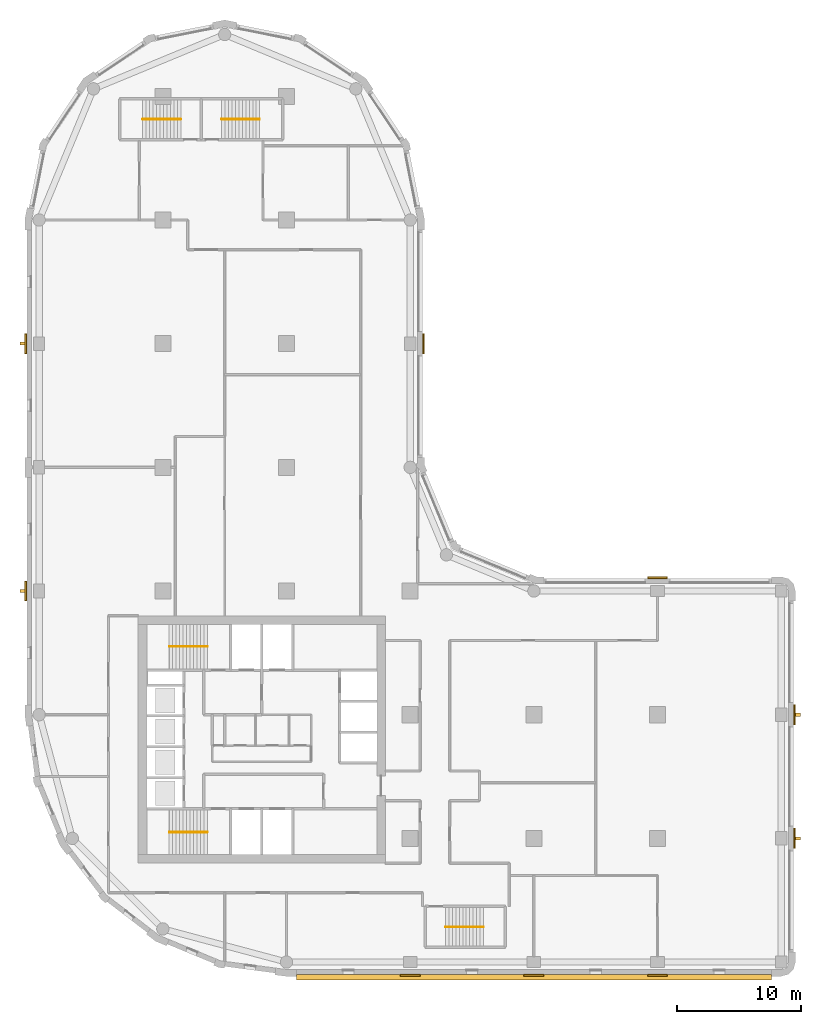
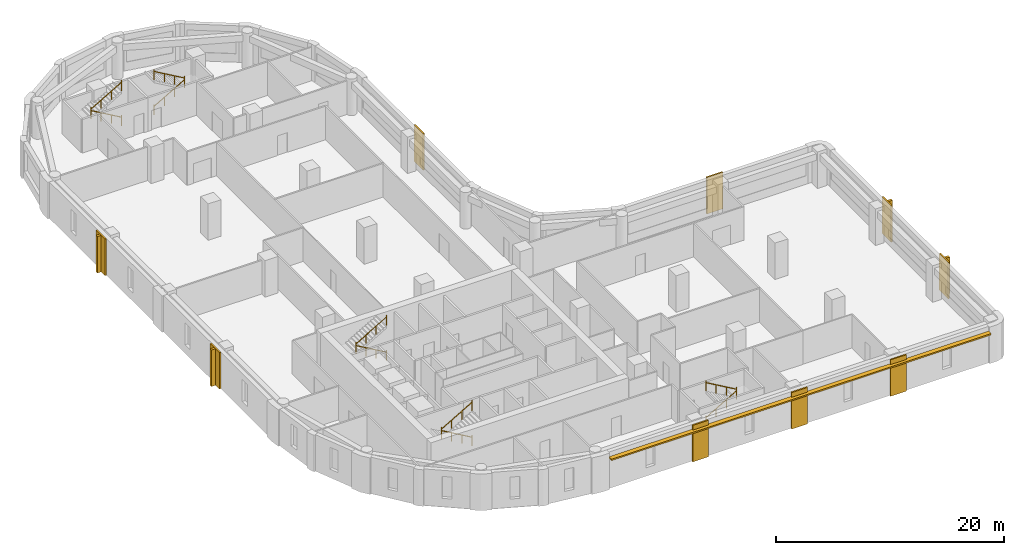
# One storey, part 8 of 9: 10 railings, 9 coverings, 5 shading devices.
"""IFC4 building model written with IfcOpenShell, lengths in metres."""

from ifc_helpers import new_model, si_unit, direction, frame, origin, origin_2d, place, context, subcontext, project, spatial, polyline, rectangle, circle, outline, extrude, material, layer, layer_set, type_object, element, save


model = new_model("IFC4")

# Units and contexts
model_context = context("Model", 3, precision=1e-05, world=origin(), true_north=direction((0.0, 1.0)))
body_context = subcontext(model_context, "Body", "Model", "MODEL_VIEW")
ifc_project = project(units=[si_unit("LENGTHUNIT", "METRE"), si_unit("AREAUNIT", "SQUARE_METRE"), si_unit("VOLUMEUNIT", "CUBIC_METRE"), si_unit("PLANEANGLEUNIT", "RADIAN"), si_unit("MASSUNIT", "GRAM", prefix="KILO")], contexts=[model_context])

# Site, building, storey
site_placement = place(None, origin())
site = spatial("IfcSite", under=ifc_project, at=site_placement, CompositionType="ELEMENT")
building_placement = place(site_placement, origin())
building = spatial("IfcBuilding", under=site, at=building_placement, Name="Qaws Garden Tower", CompositionType="ELEMENT")
storey_placement = place(building_placement, frame((0.0, 0.0, 139.5)))
storey = spatial("IfcBuildingStorey", under=building, at=storey_placement, Name="L33", CompositionType="ELEMENT", Elevation=139.5)

# Coverings
ifc_material_1 = material(Name="Clay facing brick masonry", Category="masonry")
ifc_layer_1 = layer(ifc_material_1, 0.14990234375)
ifc_layer_set_1 = layer_set([ifc_layer_1], Name="Clay facing brick masonry")
covering_type = type_object("IfcCoveringType", Name="Brick pilaster facing 150 x 1600", PredefinedType="CLADDING", material=ifc_layer_set_1)
placement = place(storey_placement, origin())
element("IfcCovering", 1, at=placement, inside=storey, type_object=covering_type, Name="E-L33-pier-01", PredefinedType="CLADDING", context=body_context, shape_type="SweptSolid", body=[
    extrude(outline(polyline([(29.199951171875, -1.0), (30.800048828125, -1.0), (30.800048828125, -1.14990234375), (29.199951171875, -1.14990234375), (29.199951171875, -1.0)])), origin(), (0.0, 0.0, 1.0), 3.89990234375),
])
element("IfcCovering", 2, at=placement, inside=storey, type_object=covering_type, Name="E-L33-pier-02", PredefinedType="CLADDING", context=body_context, shape_type="SweptSolid", body=[
    extrude(outline(polyline([(39.199951171875, -1.0), (40.800048828125, -1.0), (40.800048828125, -1.14990234375), (39.199951171875, -1.14990234375), (39.199951171875, -1.0)])), origin(), (0.0, 0.0, 1.0), 3.89990234375),
])
element("IfcCovering", 3, at=placement, inside=storey, type_object=covering_type, Name="E-L33-pier-03", PredefinedType="CLADDING", context=body_context, shape_type="SweptSolid", body=[
    extrude(outline(polyline([(49.199951171875, -1.0), (50.800048828125, -1.0), (50.800048828125, -1.14990234375), (49.199951171875, -1.14990234375), (49.199951171875, -1.0)])), origin(), (0.0, 0.0, 1.0), 3.89990234375),
])
element("IfcCovering", 4, at=placement, inside=storey, type_object=covering_type, Name="E-L33-pier-05", PredefinedType="CLADDING", context=body_context, shape_type="SweptSolid", body=[
    extrude(outline(polyline([(61.0, 9.199951171875), (61.0, 10.800048828125), (61.14990234375, 10.800048828125), (61.14990234375, 9.199951171875), (61.0, 9.199951171875)])), origin(), (0.0, 0.0, 1.0), 3.89990234375),
])
element("IfcCovering", 5, at=placement, inside=storey, type_object=covering_type, Name="E-L33-pier-06", PredefinedType="CLADDING", context=body_context, shape_type="SweptSolid", body=[
    extrude(outline(polyline([(61.0, 19.199951171875), (61.0, 20.800048828125), (61.14990234375, 20.800048828125), (61.14990234375, 19.199951171875), (61.0, 19.199951171875)])), origin(), (0.0, 0.0, 1.0), 3.89990234375),
])
element("IfcCovering", 6, at=placement, inside=storey, type_object=covering_type, Name="E-L33-pier-08", PredefinedType="CLADDING", context=body_context, shape_type="SweptSolid", body=[
    extrude(outline(polyline([(50.800048828125, 31.0), (49.199951171875, 31.0), (49.199951171875, 31.14990234375), (50.800048828125, 31.14990234375), (50.800048828125, 31.0)])), origin(), (0.0, 0.0, 1.0), 3.89990234375),
])
element("IfcCovering", 7, at=placement, inside=storey, type_object=covering_type, Name="E-L33-pier-12", PredefinedType="CLADDING", context=body_context, shape_type="SweptSolid", body=[
    extrude(outline(polyline([(31.0, 49.199951171875), (31.0, 50.800048828125), (31.14990234375, 50.800048828125), (31.14990234375, 49.199951171875), (31.0, 49.199951171875)])), origin(), (0.0, 0.0, 1.0), 3.89990234375),
])
element("IfcCovering", 8, at=placement, inside=storey, type_object=covering_type, Name="E-L33-pier-22", PredefinedType="CLADDING", context=body_context, shape_type="SweptSolid", body=[
    extrude(outline(polyline([(-1.0, 50.800048828125), (-1.0, 49.199951171875), (-1.14990234375, 49.199951171875), (-1.14990234375, 50.800048828125), (-1.0, 50.800048828125)])), origin(), (0.0, 0.0, 1.0), 3.89990234375),
])
element("IfcCovering", 9, at=placement, inside=storey, type_object=covering_type, Name="E-L33-pier-24", PredefinedType="CLADDING", context=body_context, shape_type="SweptSolid", body=[
    extrude(outline(polyline([(-1.0, 30.800048828125), (-1.0, 29.199951171875), (-1.14990234375, 29.199951171875), (-1.14990234375, 30.800048828125), (-1.0, 30.800048828125)])), origin(), (0.0, 0.0, 1.0), 3.89990234375),
])

# Shading devices
ifc_material_2 = material(Name="Clay facing brick masonry", Category="masonry")
ifc_layer_2 = layer(ifc_material_2, 0.14990234375)
ifc_layer_set_2 = layer_set([ifc_layer_2], Name="Clay facing brick masonry")
shading_device_type_1 = type_object("IfcShadingDeviceType", Name="Brick sunshade band 450 x 150", PredefinedType="JALOUSIE", material=ifc_layer_set_2)
shading_device_placement = place(storey_placement, frame((0.0, 0.0, 3.25)))
element("IfcShadingDevice", 10, at=shading_device_placement, inside=storey, type_object=shading_device_type_1, Name="SUNSHADE 00", PredefinedType="JALOUSIE", context=body_context, shape_type="SweptSolid", body=[
    extrude(outline(polyline([(20.800048828125, -1.0), (20.800048828125, -1.449951171875), (59.199951171875, -1.449951171875), (59.199951171875, -1.0), (50.800048828125, -1.0), (50.800048828125, -1.14990234375), (49.199951171875, -1.14990234375), (49.199951171875, -1.0), (40.800048828125, -1.0), (40.800048828125, -1.14990234375), (39.199951171875, -1.14990234375), (39.199951171875, -1.0), (30.800048828125, -1.0), (30.800048828125, -1.14990234375), (29.199951171875, -1.14990234375), (29.199951171875, -1.0), (20.800048828125, -1.0)])), origin(), (0.0, 0.0, 1.0), 0.14990234375),
])
ifc_material_3 = material(Name="Clay facing brick masonry", Category="masonry")
ifc_layer_3 = layer(ifc_material_3, 0.25)
ifc_layer_set_3 = layer_set([ifc_layer_3], Name="Clay facing brick masonry")
shading_device_type_2 = type_object("IfcShadingDeviceType", Name="Brick-faced fin 250 x 400", PredefinedType="USERDEFINED", material=ifc_layer_set_3)
for number, where, z_axis, x_axis, name in (
    (11, (61.35009765625, 10.0, 0.0), (0.0, 0.0, 1.0), (0.0, 1.0, 0.0), "FIN 05"),
    (12, (61.35009765625, 20.0, 0.0), (0.0, 0.0, 1.0), (0.0, 1.0, 0.0), "FIN 06"),
    (13, (-1.35009765625, 50.0, 0.0), (0.0, 0.0, 1.0), (0.0, -1.0, 0.0), "FIN 22"),
    (14, (-1.35009765625, 30.0, 0.0), (0.0, 0.0, 1.0), (0.0, -1.0, 0.0), "FIN 24"),
):
    element("IfcShadingDevice", number, at=place(storey_placement, frame(where, z_axis=z_axis, x_axis=x_axis)), inside=storey, type_object=shading_device_type_2, Name=name, ObjectType="FIN", PredefinedType="USERDEFINED", context=body_context, shape_type="SweptSolid", body=[
        extrude(rectangle(XDim=0.25, YDim=0.39990234375, at=origin_2d()), origin(), (0.0, 0.0, 1.0), 3.89990234375),
    ])

# Railings
ifc_material_4 = material(Name="Steel S355", Category="steel")
railing_type = type_object("IfcRailingType", Name="Stair handrail 900", PredefinedType="HANDRAIL", material=ifc_material_4)
railing_1_placement = place(storey_placement, frame((13.60009765625, 10.5, 0.16259765625)))
element("IfcRailing", 15, at=railing_1_placement, inside=storey, type_object=railing_type, Name="Stair 1 handrail", PredefinedType="HANDRAIL", context=body_context, shape_type="SweptSolid", body=[
    extrude(circle(Radius=0.02392578125, at=origin_2d()), frame((0.0, 0.0, 0.8759765625), z_axis=(-0.864920483161, 0.0, 0.501908913857), x_axis=(0.0, -1.0, 0.0)), (0.0, 0.0, 1.0), 3.56103515625),
    extrude(circle(Radius=0.02099609375, at=origin_2d()), origin(), (0.0, 0.0, 1.0), 1.06201171875),
    extrude(circle(Radius=0.02099609375, at=origin_2d()), frame((-1.026611328125, 0.0, 0.595703125)), (0.0, 0.0, 1.0), 0.851806640625),
    extrude(circle(Radius=0.02099609375, at=origin_2d()), frame((-2.053466796875, 0.0, 1.191650390625)), (0.0, 0.0, 1.0), 0.851806640625),
    extrude(circle(Radius=0.02099609375, at=origin_2d()), frame((-3.080078125, 0.0, 1.787353515625)), (0.0, 0.0, 1.0), 1.06201171875),
])
railing_2_placement = place(storey_placement, frame((10.52001953125, 10.5, 2.112548828125)))
element("IfcRailing", 16, at=railing_2_placement, inside=storey, type_object=railing_type, Name="Stair 1 handrail", PredefinedType="HANDRAIL", context=body_context, shape_type="SweptSolid", body=[
    extrude(circle(Radius=0.02392578125, at=origin_2d()), frame((0.0, 0.0, 0.8759765625), z_axis=(0.864920483161, 0.0, 0.501908913857), x_axis=(0.0, 1.0, 0.0)), (0.0, 0.0, 1.0), 3.56103515625),
    extrude(circle(Radius=0.02099609375, at=origin_2d()), origin(), (0.0, 0.0, 1.0), 1.06201171875),
    extrude(circle(Radius=0.02099609375, at=origin_2d()), frame((1.026611328125, 0.0, 0.595703125)), (0.0, 0.0, 1.0), 0.851806640625),
    extrude(circle(Radius=0.02099609375, at=origin_2d()), frame((2.053466796875, 0.0, 1.191650390625)), (0.0, 0.0, 1.0), 0.851806640625),
    extrude(circle(Radius=0.02099609375, at=origin_2d()), frame((3.080078125, 0.0, 1.787353515625)), (0.0, 0.0, 1.0), 1.06201171875),
])
railing_3_placement = place(storey_placement, frame((13.60009765625, 25.5, 0.16259765625)))
element("IfcRailing", 17, at=railing_3_placement, inside=storey, type_object=railing_type, Name="Stair 4 handrail", PredefinedType="HANDRAIL", context=body_context, shape_type="SweptSolid", body=[
    extrude(circle(Radius=0.02392578125, at=origin_2d()), frame((0.0, 0.0, 0.8759765625), z_axis=(-0.864920483161, 0.0, 0.501908913857), x_axis=(0.0, -1.0, 0.0)), (0.0, 0.0, 1.0), 3.56103515625),
    extrude(circle(Radius=0.02099609375, at=origin_2d()), origin(), (0.0, 0.0, 1.0), 1.06201171875),
    extrude(circle(Radius=0.02099609375, at=origin_2d()), frame((-1.026611328125, 0.0, 0.595703125)), (0.0, 0.0, 1.0), 0.851806640625),
    extrude(circle(Radius=0.02099609375, at=origin_2d()), frame((-2.053466796875, 0.0, 1.191650390625)), (0.0, 0.0, 1.0), 0.851806640625),
    extrude(circle(Radius=0.02099609375, at=origin_2d()), frame((-3.080078125, 0.0, 1.787353515625)), (0.0, 0.0, 1.0), 1.06201171875),
])
railing_4_placement = place(storey_placement, frame((10.52001953125, 25.5, 2.112548828125)))
element("IfcRailing", 18, at=railing_4_placement, inside=storey, type_object=railing_type, Name="Stair 4 handrail", PredefinedType="HANDRAIL", context=body_context, shape_type="SweptSolid", body=[
    extrude(circle(Radius=0.02392578125, at=origin_2d()), frame((0.0, 0.0, 0.8759765625), z_axis=(0.864920483161, 0.0, 0.501908913857), x_axis=(0.0, 1.0, 0.0)), (0.0, 0.0, 1.0), 3.56103515625),
    extrude(circle(Radius=0.02099609375, at=origin_2d()), origin(), (0.0, 0.0, 1.0), 1.06201171875),
    extrude(circle(Radius=0.02099609375, at=origin_2d()), frame((1.026611328125, 0.0, 0.595703125)), (0.0, 0.0, 1.0), 0.851806640625),
    extrude(circle(Radius=0.02099609375, at=origin_2d()), frame((2.053466796875, 0.0, 1.191650390625)), (0.0, 0.0, 1.0), 0.851806640625),
    extrude(circle(Radius=0.02099609375, at=origin_2d()), frame((3.080078125, 0.0, 1.787353515625)), (0.0, 0.0, 1.0), 1.06201171875),
])
railing_5_placement = place(storey_placement, frame((32.85009765625, 2.85009765625, 0.16259765625)))
element("IfcRailing", 19, at=railing_5_placement, inside=storey, type_object=railing_type, Name="Stair 5 handrail", PredefinedType="HANDRAIL", context=body_context, shape_type="SweptSolid", body=[
    extrude(circle(Radius=0.02392578125, at=origin_2d()), frame((0.0, 0.0, 0.8759765625), z_axis=(0.864903211148, 0.0, 0.501938676878), x_axis=(0.0, 1.0, 0.0)), (0.0, 0.0, 1.0), 3.560791015625),
    extrude(circle(Radius=0.02099609375, at=origin_2d()), origin(), (0.0, 0.0, 1.0), 1.06201171875),
    extrude(circle(Radius=0.02099609375, at=origin_2d()), frame((1.026611328125, 0.0, 0.595703125)), (0.0, 0.0, 1.0), 0.851806640625),
    extrude(circle(Radius=0.02099609375, at=origin_2d()), frame((2.05322265625, 0.0, 1.191650390625)), (0.0, 0.0, 1.0), 0.851806640625),
    extrude(circle(Radius=0.02099609375, at=origin_2d()), frame((3.079833984375, 0.0, 1.787353515625)), (0.0, 0.0, 1.0), 1.06201171875),
])
for number, where, name in (
    (20, (35.929931640625, 2.85009765625, 2.112548828125), "Stair 5 handrail"),
    (21, (11.449951171875, 68.14990234375, 0.16259765625), "Stair 6 handrail"),
):
    element("IfcRailing", number, at=place(storey_placement, frame(where)), inside=storey, type_object=railing_type, Name=name, PredefinedType="HANDRAIL", context=body_context, shape_type="SweptSolid", body=[
        extrude(circle(Radius=0.02392578125, at=origin_2d()), frame((0.0, 0.0, 0.8759765625), z_axis=(-0.864903211148, 0.0, 0.501938676878), x_axis=(0.0, -1.0, 0.0)), (0.0, 0.0, 1.0), 3.560791015625),
        extrude(circle(Radius=0.02099609375, at=origin_2d()), origin(), (0.0, 0.0, 1.0), 1.06201171875),
        extrude(circle(Radius=0.02099609375, at=origin_2d()), frame((-1.026611328125, 0.0, 0.595703125)), (0.0, 0.0, 1.0), 0.851806640625),
        extrude(circle(Radius=0.02099609375, at=origin_2d()), frame((-2.05322265625, 0.0, 1.191650390625)), (0.0, 0.0, 1.0), 0.851806640625),
        extrude(circle(Radius=0.02099609375, at=origin_2d()), frame((-3.079833984375, 0.0, 1.787353515625)), (0.0, 0.0, 1.0), 1.06201171875),
    ])
railing_6_placement = place(storey_placement, frame((8.3701171875, 68.14990234375, 2.112548828125)))
element("IfcRailing", 22, at=railing_6_placement, inside=storey, type_object=railing_type, Name="Stair 6 handrail", PredefinedType="HANDRAIL", context=body_context, shape_type="SweptSolid", body=[
    extrude(circle(Radius=0.02392578125, at=origin_2d()), frame((0.0, 0.0, 0.8759765625), z_axis=(0.864903211148, 0.0, 0.501938676878), x_axis=(0.0, 1.0, 0.0)), (0.0, 0.0, 1.0), 3.560791015625),
    extrude(circle(Radius=0.02099609375, at=origin_2d()), origin(), (0.0, 0.0, 1.0), 1.06201171875),
    extrude(circle(Radius=0.02099609375, at=origin_2d()), frame((1.026611328125, 0.0, 0.595703125)), (0.0, 0.0, 1.0), 0.851806640625),
    extrude(circle(Radius=0.02099609375, at=origin_2d()), frame((2.05322265625, 0.0, 1.191650390625)), (0.0, 0.0, 1.0), 0.851806640625),
    extrude(circle(Radius=0.02099609375, at=origin_2d()), frame((3.079833984375, 0.0, 1.787353515625)), (0.0, 0.0, 1.0), 1.06201171875),
])
railing_7_placement = place(storey_placement, frame((14.75, 68.14990234375, 0.16259765625)))
element("IfcRailing", 23, at=railing_7_placement, inside=storey, type_object=railing_type, Name="Stair 7 handrail", PredefinedType="HANDRAIL", context=body_context, shape_type="SweptSolid", body=[
    extrude(circle(Radius=0.02392578125, at=origin_2d()), frame((0.0, 0.0, 0.8759765625), z_axis=(0.864920483161, 0.0, 0.501908913857), x_axis=(0.0, 1.0, 0.0)), (0.0, 0.0, 1.0), 3.56103515625),
    extrude(circle(Radius=0.02099609375, at=origin_2d()), origin(), (0.0, 0.0, 1.0), 1.06201171875),
    extrude(circle(Radius=0.02099609375, at=origin_2d()), frame((1.026611328125, 0.0, 0.595703125)), (0.0, 0.0, 1.0), 0.851806640625),
    extrude(circle(Radius=0.02099609375, at=origin_2d()), frame((2.053466796875, 0.0, 1.191650390625)), (0.0, 0.0, 1.0), 0.851806640625),
    extrude(circle(Radius=0.02099609375, at=origin_2d()), frame((3.080078125, 0.0, 1.787353515625)), (0.0, 0.0, 1.0), 1.06201171875),
])
railing_8_placement = place(storey_placement, frame((17.830078125, 68.14990234375, 2.112548828125)))
element("IfcRailing", 24, at=railing_8_placement, inside=storey, type_object=railing_type, Name="Stair 7 handrail", PredefinedType="HANDRAIL", context=body_context, shape_type="SweptSolid", body=[
    extrude(circle(Radius=0.02392578125, at=origin_2d()), frame((0.0, 0.0, 0.8759765625), z_axis=(-0.864920483161, 0.0, 0.501908913857), x_axis=(0.0, -1.0, 0.0)), (0.0, 0.0, 1.0), 3.56103515625),
    extrude(circle(Radius=0.02099609375, at=origin_2d()), origin(), (0.0, 0.0, 1.0), 1.06201171875),
    extrude(circle(Radius=0.02099609375, at=origin_2d()), frame((-1.026611328125, 0.0, 0.595703125)), (0.0, 0.0, 1.0), 0.851806640625),
    extrude(circle(Radius=0.02099609375, at=origin_2d()), frame((-2.053466796875, 0.0, 1.191650390625)), (0.0, 0.0, 1.0), 0.851806640625),
    extrude(circle(Radius=0.02099609375, at=origin_2d()), frame((-3.080078125, 0.0, 1.787353515625)), (0.0, 0.0, 1.0), 1.06201171875),
])

save(model, "model.ifc")
